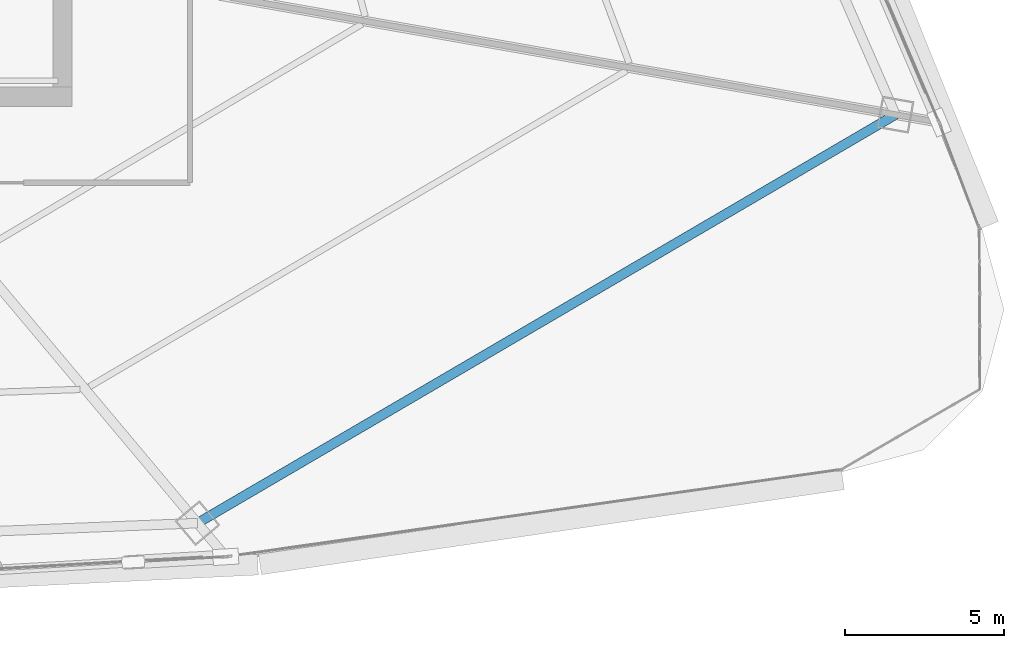
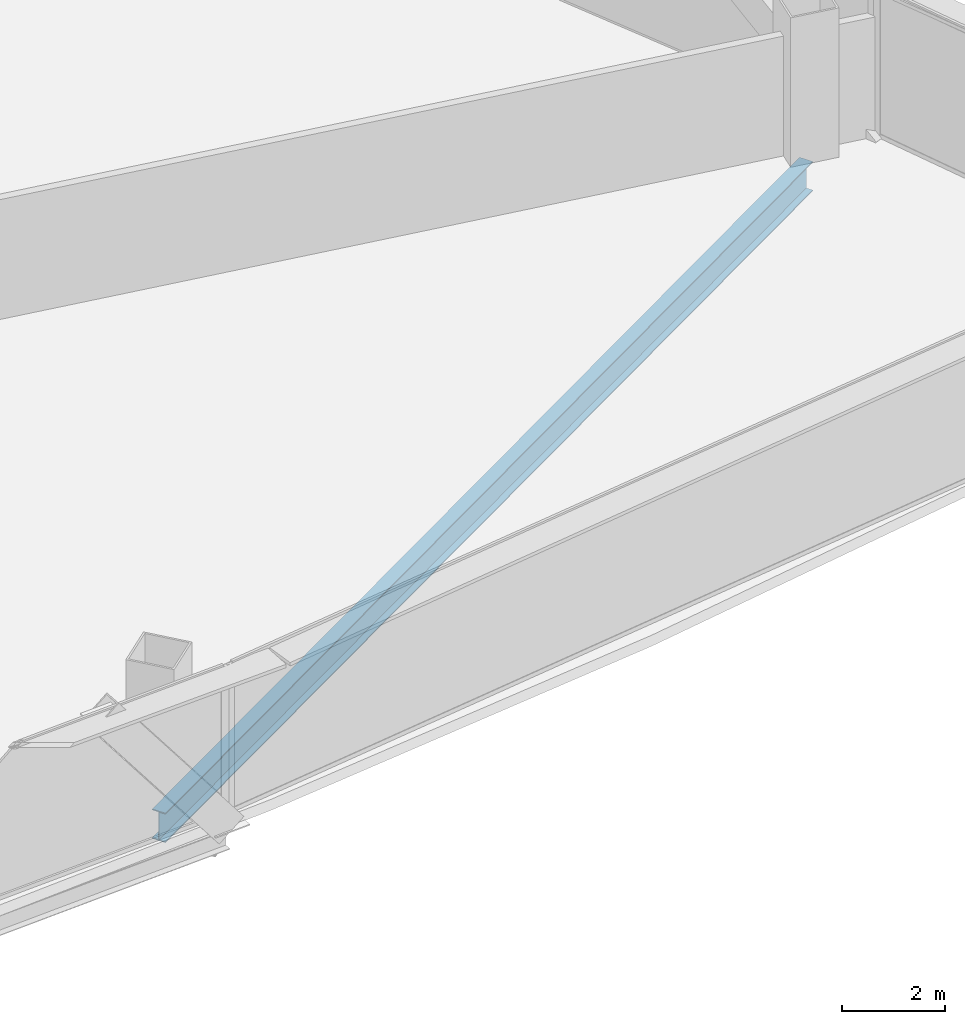
# One storey, part 23 of 41: 1 beam.
"""IFC4 building model written with IfcOpenShell, lengths in metres."""

from ifc_helpers import new_model, si_unit, direction, frame, origin, origin_2d, place, context, subcontext, project, spatial, i_section, extrude, source, transform, mapped, material, material_profile, profile_set, type_object, element, save


model = new_model("IFC4")

# Units and contexts
model_context = context("Model", 3, precision=1e-05, world=origin(), true_north=direction((0.0, 1.0)))
body_context = subcontext(model_context, "Body", "Model", "MODEL_VIEW")
ifc_project = project(units=[si_unit("LENGTHUNIT", "METRE"), si_unit("AREAUNIT", "SQUARE_METRE"), si_unit("VOLUMEUNIT", "CUBIC_METRE"), si_unit("PLANEANGLEUNIT", "RADIAN"), si_unit("MASSUNIT", "GRAM", prefix="KILO"), si_unit("THERMODYNAMICTEMPERATUREUNIT", "KELVIN"), si_unit("POWERUNIT", "WATT")], contexts=[model_context])

# Site, building, storey
site_placement = place(None, origin())
site = spatial("IfcSite", under=ifc_project, at=site_placement, CompositionType="ELEMENT")
building_placement = place(site_placement, origin())
building = spatial("IfcBuilding", under=site, at=building_placement, Name="Yunzhuo Pagoda Commons", CompositionType="ELEMENT")
storey_placement = place(building_placement, frame((0.0, 0.0, 111.580078125)))
storey = spatial("IfcBuildingStorey", under=building, at=storey_placement, Name="L28", CompositionType="ELEMENT", Elevation=111.580078125)

# Beam
ifc_material = material(Name="Structural steel Q355B", Category="steel")
ifc_material_profile = material_profile(ifc_material, i_section(OverallWidth=0.300048828125, OverallDepth=0.699951171875, WebThickness=0.012939453125, FlangeThickness=0.02392578125, at=origin_2d()), Name="Structural steel Q355B")
ifc_profile_set = profile_set([ifc_material_profile], Name="Structural steel Q355B")
beam_type = type_object("IfcBeamType", Name="B-RG1 Beam HN 700x300x13x24", PredefinedType="BEAM", material=ifc_profile_set)
shared_shape = source(origin(), body_context, "Body", "SweptSolid", [
    extrude(i_section(OverallWidth=0.300048828125, OverallDepth=0.699951171875, WebThickness=0.012939453125, FlangeThickness=0.02392578125, at=origin_2d()), origin(), (0.0, 0.0, 1.0), 25.3935546875),
])
beam_placement = place(storey_placement, frame((64.43603515625, 14.1123046875, -0.610107421875), z_axis=(0.863085207128, 0.505058338449, 0.0), x_axis=(-0.505058338449, 0.863085207128, 0.0)))
element("IfcBeam", 1, at=beam_placement, inside=storey, type_object=beam_type, Name="L28 column-ring beam 4", PredefinedType="BEAM", context=body_context, shape_type="MappedRepresentation", body=[
    mapped(shared_shape, transform((0.0, 0.0, 0.0), scale=1.0)),
])

save(model, "model.ifc")
